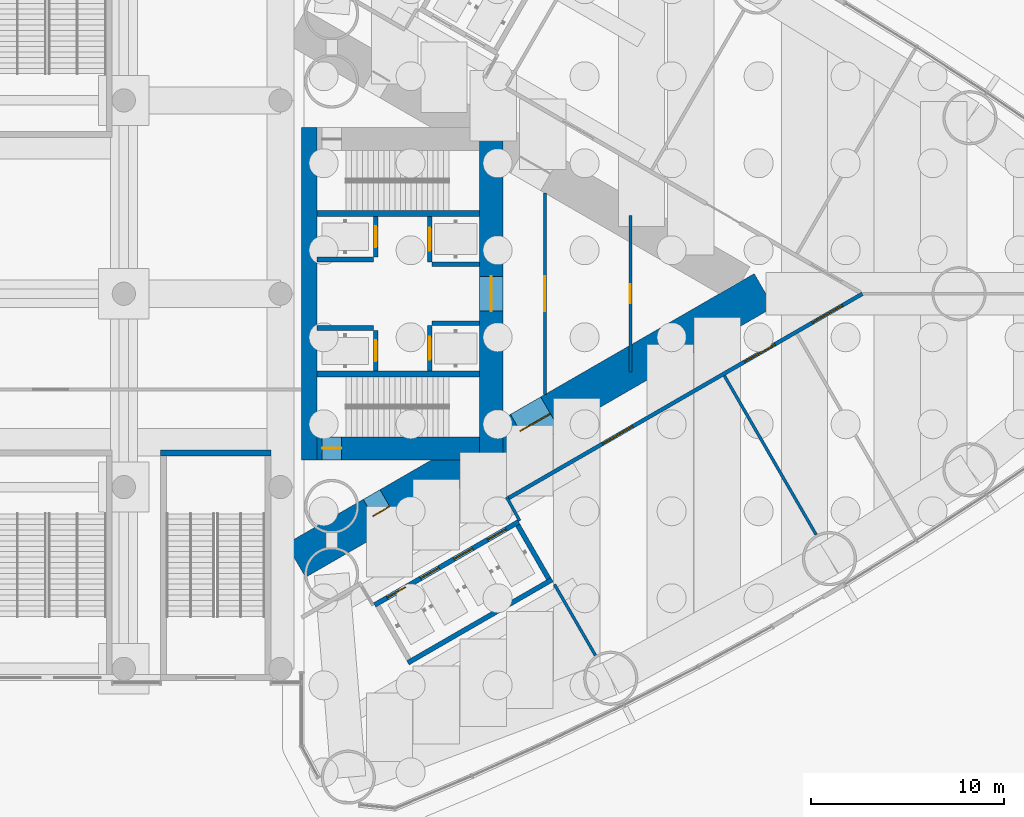
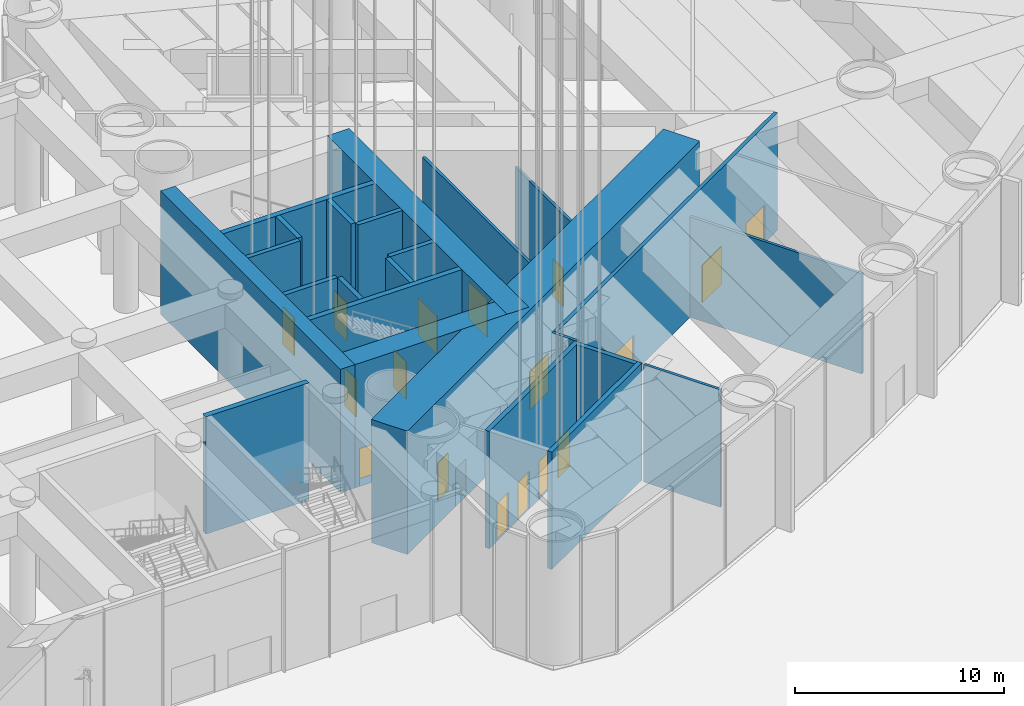
# One storey, part 23 of 43: 24 walls, 17 doors, 17 openings.
"""IFC4 building model written with IfcOpenShell, lengths in metres."""

from ifc_helpers import new_model, si_unit, direction, frame, frame_2d, origin, place, context, subcontext, project, spatial, rectangle, extrude, material, layer, layer_set, type_object, element, fill, save


model = new_model("IFC4")

# Units and contexts
model_context = context("Model", 3, precision=1e-05, world=origin(), true_north=direction((0.0, 1.0)))
body_context = subcontext(model_context, "Body", "Model", "MODEL_VIEW")
ifc_project = project(units=[si_unit("LENGTHUNIT", "METRE"), si_unit("AREAUNIT", "SQUARE_METRE"), si_unit("VOLUMEUNIT", "CUBIC_METRE"), si_unit("PLANEANGLEUNIT", "RADIAN"), si_unit("MASSUNIT", "GRAM", prefix="KILO")], contexts=[model_context])

# Site, building, storey
site_placement = place(None, origin())
site = spatial("IfcSite", under=ifc_project, at=site_placement, CompositionType="ELEMENT")
building_placement = place(site_placement, origin())
building = spatial("IfcBuilding", under=site, at=building_placement, Name="Lancet Gate Hotel", CompositionType="ELEMENT")
storey_placement = place(building_placement, origin())
storey = spatial("IfcBuildingStorey", under=building, at=storey_placement, Name="L00", CompositionType="ELEMENT", Elevation=0.0)

# Wall, openings, doors
ifc_material_1 = material(Name="Concrete C70/85", Category="concrete")
ifc_layer_1 = layer(ifc_material_1, 2.0)
ifc_layer_set_1 = layer_set([ifc_layer_1], Name="Buttress wall 2000")
wall_type_1 = type_object("IfcWallType", Name="Buttress wall 2000", PredefinedType="SHEAR", material=ifc_layer_set_1)
wall_1_placement = place(storey_placement, frame((27.199951171875, -13.800048828125, 0.0), z_axis=(0.0, 0.0, 1.0), x_axis=(0.866027159892, 0.499996958321, 0.0)))
wall_1 = element("IfcWall", 1, at=wall_1_placement, inside=storey, type_object=wall_type_1, Name="T2 buttress wall S L00", PredefinedType="SHEAR", context=body_context, shape_type="SweptSolid", body=[
    extrude(rectangle(XDim=27.946533203125, YDim=2.0, at=frame_2d((13.97314453125, 0.0))), origin(), (0.0, 0.0, 1.0), 7.199951171875),
])
opening_1_placement = place(wall_1_placement, frame((4.60009765625, 0.0, 0.0)))
opening_1 = element("IfcOpeningElement", 2, at=opening_1_placement, cuts=wall_1, Name="Opening T2-L00-LS", PredefinedType="OPENING", context=body_context, shape_type="SweptSolid", body=[
    extrude(rectangle(XDim=1.0, YDim=2.199951171875, at=frame_2d((0.5, 1.10009765625))), frame((0.0, 1.010009765625, 0.0), z_axis=(0.0, -1.0, 0.0), x_axis=(1.0, 0.0, 0.0)), (0.0, 0.0, 1.0), 2.02001953125),
])
opening_2_placement = place(wall_1_placement, frame((13.39453125, 0.0, 0.0)))
opening_2 = element("IfcOpeningElement", 3, at=opening_2_placement, cuts=wall_1, Name="Opening T2-L00-LHS", PredefinedType="OPENING", context=body_context, shape_type="SweptSolid", body=[
    extrude(rectangle(XDim=1.800048828125, YDim=2.199951171875, at=frame_2d((0.89990234375, 1.10009765625))), frame((0.0, 1.010009765625, 0.0), z_axis=(0.0, -1.0, 0.0), x_axis=(1.0, 0.0, 0.0)), (0.0, 0.0, 1.0), 2.02001953125),
])
ifc_material_2 = material(Name="Timber door set", Category="wood")
door_type_1 = type_object("IfcDoorType", Name="Lobby double door 1800", OperationType="DOUBLE_DOOR_SINGLE_SWING", PredefinedType="DOOR", material=ifc_material_2)
door_1_placement = place(opening_2_placement, origin())
door_1 = element("IfcDoor", 4, at=door_1_placement, inside=storey, type_object=door_type_1, Name="T2-L00-LHS", OperationType="DOUBLE_DOOR_SINGLE_SWING", OverallHeight=2.199951171875, OverallWidth=1.800048828125, PredefinedType="DOOR", context=body_context, shape_type="SweptSolid", body=[
    extrude(rectangle(XDim=1.800048828125, YDim=2.199951171875, at=frame_2d((0.89990234375, 1.10009765625))), frame((0.0, 0.02490234375, 0.0), z_axis=(0.0, -1.0, 0.0), x_axis=(1.0, 0.0, 0.0)), (0.0, 0.0, 1.0), 0.050048828125),
])
fill(opening_2, door_1)
ifc_material_3 = material(Name="Timber door set", Category="wood")
door_type_2 = type_object("IfcDoorType", Name="Stair lobby door 1000", OperationType="SINGLE_SWING_LEFT", PredefinedType="DOOR", material=ifc_material_3)
door_2_placement = place(opening_1_placement, origin())
door_2 = element("IfcDoor", 5, at=door_2_placement, inside=storey, type_object=door_type_2, Name="T2-L00-LS", OperationType="SINGLE_SWING_LEFT", OverallHeight=2.199951171875, OverallWidth=1.0, PredefinedType="DOOR", context=body_context, shape_type="SweptSolid", body=[
    extrude(rectangle(XDim=1.0, YDim=2.199951171875, at=frame_2d((0.5, 1.10009765625))), frame((0.0, 0.02490234375, 0.0), z_axis=(0.0, -1.0, 0.0), x_axis=(1.0, 0.0, 0.0)), (0.0, 0.0, 1.0), 0.050048828125),
])
fill(opening_1, door_2)

# Wall, opening, door
ifc_material_4 = material(Name="Concrete C70/85", Category="concrete")
ifc_layer_2 = layer(ifc_material_4, 1.199951171875)
ifc_layer_set_2 = layer_set([ifc_layer_2], Name="Core wall 1200")
wall_type_2 = type_object("IfcWallType", Name="Core wall 1200", PredefinedType="SHEAR", material=ifc_layer_set_2)
wall_2_placement = place(storey_placement, frame((37.300048828125, -8.60009765625, 0.0), z_axis=(0.0, 0.0, 1.0), x_axis=(0.0, 1.0, 0.0)))
wall_2 = element("IfcWall", 6, at=wall_2_placement, inside=storey, type_object=wall_type_2, Name="T2 core wall back L00", PredefinedType="SHEAR", context=body_context, shape_type="SweptSolid", body=[
    extrude(rectangle(XDim=17.2001953125, YDim=1.199951171875, at=frame_2d((8.60009765625, 0.0))), origin(), (0.0, 0.0, 1.0), 7.199951171875),
])
opening_3_placement = place(wall_2_placement, frame((7.699951171875, 0.0, 0.0)))
opening_3 = element("IfcOpeningElement", 7, at=opening_3_placement, cuts=wall_2, Name="Opening T2-L00-LL", PredefinedType="OPENING", context=body_context, shape_type="SweptSolid", body=[
    extrude(rectangle(XDim=1.800048828125, YDim=2.199951171875, at=frame_2d((0.89990234375, 1.10009765625))), frame((0.0, 0.60986328125, 0.0), z_axis=(0.0, -1.0, 0.0), x_axis=(1.0, 0.0, 0.0)), (0.0, 0.0, 1.0), 1.219970703125),
])
door_3_placement = place(opening_3_placement, origin())
door_3 = element("IfcDoor", 8, at=door_3_placement, inside=storey, type_object=door_type_1, Name="T2-L00-LL", OperationType="DOUBLE_DOOR_SINGLE_SWING", OverallHeight=2.199951171875, OverallWidth=1.800048828125, PredefinedType="DOOR", context=body_context, shape_type="SweptSolid", body=[
    extrude(rectangle(XDim=1.800048828125, YDim=2.199951171875, at=frame_2d((0.89990234375, 1.10009765625))), frame((0.0, 0.02490234375, 0.0), z_axis=(0.0, -1.0, 0.0), x_axis=(1.0, 0.0, 0.0)), (0.0, 0.0, 1.0), 0.050048828125),
])
fill(opening_3, door_3)

wall_3_placement = place(storey_placement, frame((28.300048828125, -8.0, 0.0), z_axis=(0.0, 0.0, 1.0), x_axis=(1.0, 0.0, 0.0)))
wall_3 = element("IfcWall", 9, at=wall_3_placement, inside=storey, type_object=wall_type_2, Name="T2 core wall side-S L00", PredefinedType="SHEAR", context=body_context, shape_type="SweptSolid", body=[
    extrude(rectangle(XDim=8.39990234375, YDim=1.199951171875, at=frame_2d((4.199951171875, 0.0))), origin(), (0.0, 0.0, 1.0), 7.199951171875),
])
opening_4_placement = place(wall_3_placement, frame((0.25, 0.0, 0.0)))
opening_4 = element("IfcOpeningElement", 10, at=opening_4_placement, cuts=wall_3, Name="Opening T2-L00-ST1", PredefinedType="OPENING", context=body_context, shape_type="SweptSolid", body=[
    extrude(rectangle(XDim=1.0, YDim=2.199951171875, at=frame_2d((0.5, 1.10009765625))), frame((0.0, 0.60986328125, 0.0), z_axis=(0.0, -1.0, 0.0), x_axis=(1.0, 0.0, 0.0)), (0.0, 0.0, 1.0), 1.219970703125),
])
ifc_material_5 = material(Name="Timber door set", Category="wood")
door_type_3 = type_object("IfcDoorType", Name="Stair door 1000", OperationType="SINGLE_SWING_RIGHT", PredefinedType="DOOR", material=ifc_material_5)
door_4_placement = place(opening_4_placement, origin())
door_4 = element("IfcDoor", 11, at=door_4_placement, inside=storey, type_object=door_type_3, Name="T2-L00-ST1", OperationType="SINGLE_SWING_RIGHT", OverallHeight=2.199951171875, OverallWidth=1.0, PredefinedType="DOOR", context=body_context, shape_type="SweptSolid", body=[
    extrude(rectangle(XDim=1.0, YDim=2.199951171875, at=frame_2d((0.5, 1.10009765625))), frame((0.0, 0.02490234375, 0.0), z_axis=(0.0, -1.0, 0.0), x_axis=(1.0, 0.0, 0.0)), (0.0, 0.0, 1.0), 0.050048828125),
])
fill(opening_4, door_4)

# Wall
ifc_material_6 = material(Name="Concrete C70/85", Category="concrete")
ifc_layer_3 = layer(ifc_material_6, 0.800048828125)
ifc_layer_set_3 = layer_set([ifc_layer_3], Name="Core wall 800")
wall_type_3 = type_object("IfcWallType", Name="Core wall 800", PredefinedType="SHEAR", material=ifc_layer_set_3)
wall_4_placement = place(storey_placement, frame((27.89990234375, -8.60009765625, 0.0), z_axis=(0.0, 0.0, 1.0), x_axis=(0.0, 1.0, 0.0)))
element("IfcWall", 12, at=wall_4_placement, inside=storey, type_object=wall_type_3, Name="T2 core wall front L00", PredefinedType="SHEAR", context=body_context, shape_type="SweptSolid", body=[
    extrude(rectangle(XDim=17.2001953125, YDim=0.800048828125, at=frame_2d((8.60009765625, 0.0))), origin(), (0.0, 0.0, 1.0), 7.199951171875),
])

# Wall, openings, doors
ifc_material_7 = material(Name="Gypsum board partition")
ifc_layer_4 = layer(ifc_material_7, 0.199951171875)
ifc_layer_set_4 = layer_set([ifc_layer_4], Name="Corridor wall 200")
wall_type_4 = type_object("IfcWallType", Name="Corridor wall 200", PredefinedType="PARTITIONING", material=ifc_layer_set_4)
wall_5_placement = place(storey_placement, frame((38.159912109375, -10.58984375, 0.0), z_axis=(0.0, 0.0, 1.0), x_axis=(0.866027029586, 0.499997184019, 0.0)))
wall_5 = element("IfcWall", 13, at=wall_5_placement, inside=storey, type_object=wall_type_4, Name="T2 corridor wall 200 L00", PredefinedType="PARTITIONING", context=body_context, shape_type="SweptSolid", body=[
    extrude(rectangle(XDim=21.1796875, YDim=0.199951171875, at=frame_2d((10.58984375, 0.0))), origin(), (0.0, 0.0, 1.0), 6.85009765625),
])
opening_5_placement = place(wall_5_placement, frame((14.142333984375, 0.0, 0.0)))
opening_5 = element("IfcOpeningElement", 14, at=opening_5_placement, cuts=wall_5, Name="Opening T2-L00-P003", PredefinedType="OPENING", context=body_context, shape_type="SweptSolid", body=[
    extrude(rectangle(XDim=1.800048828125, YDim=2.199951171875, at=frame_2d((0.89990234375, 1.10009765625))), frame((0.0, 0.10986328125, 0.0), z_axis=(0.0, -1.0, 0.0), x_axis=(1.0, 0.0, 0.0)), (0.0, 0.0, 1.0), 0.219970703125),
])
opening_6_placement = place(wall_5_placement, frame((18.1826171875, 0.0, 0.0)))
opening_6 = element("IfcOpeningElement", 15, at=opening_6_placement, cuts=wall_5, Name="Opening T2-L00-P004", PredefinedType="OPENING", context=body_context, shape_type="SweptSolid", body=[
    extrude(rectangle(XDim=1.800048828125, YDim=2.199951171875, at=frame_2d((0.89990234375, 1.10009765625))), frame((0.0, 0.10986328125, 0.0), z_axis=(0.0, -1.0, 0.0), x_axis=(1.0, 0.0, 0.0)), (0.0, 0.0, 1.0), 0.219970703125),
])
opening_7_placement = place(wall_5_placement, frame((5.649658203125, 0.0, 0.0)))
opening_7 = element("IfcOpeningElement", 16, at=opening_7_placement, cuts=wall_5, Name="Opening T2-L00-P002", PredefinedType="OPENING", context=body_context, shape_type="SweptSolid", body=[
    extrude(rectangle(XDim=1.800048828125, YDim=2.199951171875, at=frame_2d((0.89990234375, 1.10009765625))), frame((0.0, 0.10986328125, 0.0), z_axis=(0.0, -1.0, 0.0), x_axis=(1.0, 0.0, 0.0)), (0.0, 0.0, 1.0), 0.219970703125),
])
ifc_material_8 = material(Name="Timber door set", Category="wood")
door_type_4 = type_object("IfcDoorType", Name="Double door 1800", OperationType="DOUBLE_DOOR_SINGLE_SWING", PredefinedType="DOOR", material=ifc_material_8)
door_5_placement = place(opening_5_placement, origin())
door_5 = element("IfcDoor", 17, at=door_5_placement, inside=storey, type_object=door_type_4, Name="T2-L00-P003", OperationType="DOUBLE_DOOR_SINGLE_SWING", OverallHeight=2.199951171875, OverallWidth=1.800048828125, PredefinedType="DOOR", context=body_context, shape_type="SweptSolid", body=[
    extrude(rectangle(XDim=1.800048828125, YDim=2.199951171875, at=frame_2d((0.89990234375, 1.10009765625))), frame((0.0, 0.02490234375, 0.0), z_axis=(0.0, -1.0, 0.0), x_axis=(1.0, 0.0, 0.0)), (0.0, 0.0, 1.0), 0.050048828125),
])
fill(opening_5, door_5)
door_6_placement = place(opening_6_placement, origin())
door_6 = element("IfcDoor", 18, at=door_6_placement, inside=storey, type_object=door_type_4, Name="T2-L00-P004", OperationType="DOUBLE_DOOR_SINGLE_SWING", OverallHeight=2.199951171875, OverallWidth=1.800048828125, PredefinedType="DOOR", context=body_context, shape_type="SweptSolid", body=[
    extrude(rectangle(XDim=1.800048828125, YDim=2.199951171875, at=frame_2d((0.89990234375, 1.10009765625))), frame((0.0, 0.02490234375, 0.0), z_axis=(0.0, -1.0, 0.0), x_axis=(1.0, 0.0, 0.0)), (0.0, 0.0, 1.0), 0.050048828125),
])
fill(opening_6, door_6)
door_7_placement = place(opening_7_placement, origin())
door_7 = element("IfcDoor", 19, at=door_7_placement, inside=storey, type_object=door_type_4, Name="T2-L00-P002", OperationType="DOUBLE_DOOR_SINGLE_SWING", OverallHeight=2.199951171875, OverallWidth=1.800048828125, PredefinedType="DOOR", context=body_context, shape_type="SweptSolid", body=[
    extrude(rectangle(XDim=1.800048828125, YDim=2.199951171875, at=frame_2d((0.89990234375, 1.10009765625))), frame((0.0, 0.02490234375, 0.0), z_axis=(0.0, -1.0, 0.0), x_axis=(1.0, 0.0, 0.0)), (0.0, 0.0, 1.0), 0.050048828125),
])
fill(opening_7, door_7)

ifc_material_9 = material(Name="Gypsum board partition")
ifc_layer_5 = layer(ifc_material_9, 0.25)
ifc_layer_set_5 = layer_set([ifc_layer_5], Name="Lift shaft partition 250")
wall_type_5 = type_object("IfcWallType", Name="Lift shaft partition 250", PredefinedType="PARTITIONING", material=ifc_layer_set_5)
wall_6_placement = place(storey_placement, frame((31.2705078125, -16.09716796875, 0.0), z_axis=(0.0, 0.0, 1.0), x_axis=(0.86604045752, 0.499973925258, 0.0)))
wall_6 = element("IfcWall", 20, at=wall_6_placement, inside=storey, type_object=wall_type_5, Name="T2 lift shaft wall LR L00", PredefinedType="PARTITIONING", context=body_context, shape_type="SweptSolid", body=[
    extrude(rectangle(XDim=8.60009765625, YDim=0.25, at=frame_2d((4.300048828125, 0.0))), origin(), (0.0, 0.0, 1.0), 6.85009765625),
])
opening_8_placement = place(wall_6_placement, frame((0.75, 0.0, 0.0)))
opening_8 = element("IfcOpeningElement", 21, at=opening_8_placement, cuts=wall_6, Name="Opening T2-LR1-L00", PredefinedType="OPENING", context=body_context, shape_type="SweptSolid", body=[
    extrude(rectangle(XDim=1.10009765625, YDim=2.199951171875, at=frame_2d((0.550048828125, 1.10009765625))), frame((0.0, 0.135009765625, 0.0), z_axis=(0.0, -1.0, 0.0), x_axis=(1.0, 0.0, 0.0)), (0.0, 0.0, 1.0), 0.27001953125),
])
opening_9_placement = place(wall_6_placement, frame((2.75, 0.0, 0.0)))
opening_9 = element("IfcOpeningElement", 22, at=opening_9_placement, cuts=wall_6, Name="Opening T2-LR2-L00", PredefinedType="OPENING", context=body_context, shape_type="SweptSolid", body=[
    extrude(rectangle(XDim=1.10009765625, YDim=2.199951171875, at=frame_2d((0.550048828125, 1.10009765625))), frame((0.0, 0.135009765625, 0.0), z_axis=(0.0, -1.0, 0.0), x_axis=(1.0, 0.0, 0.0)), (0.0, 0.0, 1.0), 0.27001953125),
])
opening_10_placement = place(wall_6_placement, frame((4.75, 0.0, 0.0)))
opening_10 = element("IfcOpeningElement", 23, at=opening_10_placement, cuts=wall_6, Name="Opening T2-LR3-L00", PredefinedType="OPENING", context=body_context, shape_type="SweptSolid", body=[
    extrude(rectangle(XDim=1.10009765625, YDim=2.199951171875, at=frame_2d((0.550048828125, 1.10009765625))), frame((0.0, 0.135009765625, 0.0), z_axis=(0.0, -1.0, 0.0), x_axis=(1.0, 0.0, 0.0)), (0.0, 0.0, 1.0), 0.27001953125),
])
opening_11_placement = place(wall_6_placement, frame((6.75, 0.0, 0.0)))
opening_11 = element("IfcOpeningElement", 24, at=opening_11_placement, cuts=wall_6, Name="Opening T2-LR4-L00", PredefinedType="OPENING", context=body_context, shape_type="SweptSolid", body=[
    extrude(rectangle(XDim=1.10009765625, YDim=2.199951171875, at=frame_2d((0.550048828125, 1.10009765625))), frame((0.0, 0.135009765625, 0.0), z_axis=(0.0, -1.0, 0.0), x_axis=(1.0, 0.0, 0.0)), (0.0, 0.0, 1.0), 0.27001953125),
])
ifc_material_10 = material(Name="Steel door set", Category="steel")
door_type_5 = type_object("IfcDoorType", Name="Lift landing door 1100", OperationType="DOUBLE_DOOR_SLIDING", PredefinedType="USERDEFINED", material=ifc_material_10)
door_8_placement = place(opening_8_placement, origin())
door_8 = element("IfcDoor", 25, at=door_8_placement, inside=storey, type_object=door_type_5, Name="T2-LR1-L00", ObjectType="LIFT LANDING DOOR", OperationType="DOUBLE_DOOR_SLIDING", OverallHeight=2.199951171875, OverallWidth=1.10009765625, PredefinedType="USERDEFINED", context=body_context, shape_type="SweptSolid", body=[
    extrude(rectangle(XDim=1.10009765625, YDim=2.199951171875, at=frame_2d((0.550048828125, 1.10009765625))), frame((0.0, 0.02490234375, 0.0), z_axis=(0.0, -1.0, 0.0), x_axis=(1.0, 0.0, 0.0)), (0.0, 0.0, 1.0), 0.050048828125),
])
fill(opening_8, door_8)
door_9_placement = place(opening_9_placement, origin())
door_9 = element("IfcDoor", 26, at=door_9_placement, inside=storey, type_object=door_type_5, Name="T2-LR2-L00", ObjectType="LIFT LANDING DOOR", OperationType="DOUBLE_DOOR_SLIDING", OverallHeight=2.199951171875, OverallWidth=1.10009765625, PredefinedType="USERDEFINED", context=body_context, shape_type="SweptSolid", body=[
    extrude(rectangle(XDim=1.10009765625, YDim=2.199951171875, at=frame_2d((0.550048828125, 1.10009765625))), frame((0.0, 0.02490234375, 0.0), z_axis=(0.0, -1.0, 0.0), x_axis=(1.0, 0.0, 0.0)), (0.0, 0.0, 1.0), 0.050048828125),
])
fill(opening_9, door_9)
door_10_placement = place(opening_10_placement, origin())
door_10 = element("IfcDoor", 27, at=door_10_placement, inside=storey, type_object=door_type_5, Name="T2-LR3-L00", ObjectType="LIFT LANDING DOOR", OperationType="DOUBLE_DOOR_SLIDING", OverallHeight=2.199951171875, OverallWidth=1.10009765625, PredefinedType="USERDEFINED", context=body_context, shape_type="SweptSolid", body=[
    extrude(rectangle(XDim=1.10009765625, YDim=2.199951171875, at=frame_2d((0.550048828125, 1.10009765625))), frame((0.0, 0.02490234375, 0.0), z_axis=(0.0, -1.0, 0.0), x_axis=(1.0, 0.0, 0.0)), (0.0, 0.0, 1.0), 0.050048828125),
])
fill(opening_10, door_10)
door_11_placement = place(opening_11_placement, origin())
door_11 = element("IfcDoor", 28, at=door_11_placement, inside=storey, type_object=door_type_5, Name="T2-LR4-L00", ObjectType="LIFT LANDING DOOR", OperationType="DOUBLE_DOOR_SLIDING", OverallHeight=2.199951171875, OverallWidth=1.10009765625, PredefinedType="USERDEFINED", context=body_context, shape_type="SweptSolid", body=[
    extrude(rectangle(XDim=1.10009765625, YDim=2.199951171875, at=frame_2d((0.550048828125, 1.10009765625))), frame((0.0, 0.02490234375, 0.0), z_axis=(0.0, -1.0, 0.0), x_axis=(1.0, 0.0, 0.0)), (0.0, 0.0, 1.0), 0.050048828125),
])
fill(opening_11, door_11)

# Walls
wall_7_placement = place(storey_placement, frame((32.99560546875, -19.085693359375, 0.0), z_axis=(0.0, 0.0, 1.0), x_axis=(0.866028165386, 0.499995216735, 0.0)))
element("IfcWall", 29, at=wall_7_placement, inside=storey, type_object=wall_type_5, Name="T2 lift shaft wall LR L00", PredefinedType="PARTITIONING", context=body_context, shape_type="SweptSolid", body=[
    extrude(rectangle(XDim=8.60009765625, YDim=0.25, at=frame_2d((4.300048828125, 0.0))), origin(), (0.0, 0.0, 1.0), 6.85009765625),
])
wall_8_placement = place(storey_placement, frame((38.672607421875, -11.968017578125, 0.0), z_axis=(0.0, 0.0, 1.0), x_axis=(0.499929347863, -0.866066190972, 0.0)))
element("IfcWall", 30, at=wall_8_placement, inside=storey, type_object=wall_type_5, Name="T2 lift shaft wall LR L00", PredefinedType="PARTITIONING", context=body_context, shape_type="SweptSolid", body=[
    extrude(rectangle(XDim=3.20068359375, YDim=0.25, at=frame_2d((1.600341796875, 0.0))), origin(), (0.0, 0.0, 1.0), 6.85009765625),
])

# Wall, opening, door
ifc_material_11 = material(Name="Concrete C50/60", Category="concrete")
ifc_layer_6 = layer(ifc_material_11, 0.25)
ifc_layer_set_6 = layer_set([ifc_layer_6], Name="Lift shaft wall 250")
wall_type_6 = type_object("IfcWallType", Name="Lift shaft wall 250", PredefinedType="SHEAR", material=ifc_layer_set_6)
wall_9_placement = place(storey_placement, frame((31.324951171875, -4.0, 0.0), z_axis=(0.0, 0.0, 1.0), x_axis=(0.0, 1.0, 0.0)))
wall_9 = element("IfcWall", 31, at=wall_9_placement, inside=storey, type_object=wall_type_6, Name="T2 core wall row1-S L00", PredefinedType="SHEAR", context=body_context, shape_type="SweptSolid", body=[
    extrude(rectangle(XDim=2.10009765625, YDim=0.25, at=frame_2d((1.050048828125, 0.0))), origin(), (0.0, 0.0, 1.0), 7.199951171875),
])
opening_12_placement = place(wall_9_placement, frame((0.5, 0.0, 0.0)))
opening_12 = element("IfcOpeningElement", 32, at=opening_12_placement, cuts=wall_9, Name="Opening T2-SL1-L00", PredefinedType="OPENING", context=body_context, shape_type="SweptSolid", body=[
    extrude(rectangle(XDim=1.10009765625, YDim=2.199951171875, at=frame_2d((0.550048828125, 1.10009765625))), frame((0.0, 0.135009765625, 0.0), z_axis=(0.0, -1.0, 0.0), x_axis=(1.0, 0.0, 0.0)), (0.0, 0.0, 1.0), 0.27001953125),
])
ifc_material_12 = material(Name="Timber door set", Category="wood")
door_type_6 = type_object("IfcDoorType", Name="Service lift landing door 1100", OperationType="SLIDING_TO_LEFT", PredefinedType="USERDEFINED", material=ifc_material_12)
door_12_placement = place(opening_12_placement, origin())
door_12 = element("IfcDoor", 33, at=door_12_placement, inside=storey, type_object=door_type_6, Name="T2-SL1-L00", ObjectType="LIFT LANDING DOOR", OperationType="SLIDING_TO_LEFT", OverallHeight=2.199951171875, OverallWidth=1.10009765625, PredefinedType="USERDEFINED", context=body_context, shape_type="SweptSolid", body=[
    extrude(rectangle(XDim=1.10009765625, YDim=2.199951171875, at=frame_2d((0.550048828125, 1.10009765625))), frame((0.0, 0.02490234375, 0.0), z_axis=(0.0, -1.0, 0.0), x_axis=(1.0, 0.0, 0.0)), (0.0, 0.0, 1.0), 0.050048828125),
])
fill(opening_12, door_12)

wall_10_placement = place(storey_placement, frame((34.125, -4.0, 0.0), z_axis=(0.0, 0.0, 1.0), x_axis=(0.0, 1.0, 0.0)))
wall_10 = element("IfcWall", 34, at=wall_10_placement, inside=storey, type_object=wall_type_6, Name="T2 core wall row2-S L00", PredefinedType="SHEAR", context=body_context, shape_type="SweptSolid", body=[
    extrude(rectangle(XDim=2.35009765625, YDim=0.25, at=frame_2d((1.175048828125, 0.0))), origin(), (0.0, 0.0, 1.0), 7.199951171875),
])
opening_13_placement = place(wall_10_placement, frame((0.574951171875, 0.0, 0.0)))
opening_13 = element("IfcOpeningElement", 35, at=opening_13_placement, cuts=wall_10, Name="Opening T2-OL3-L00", PredefinedType="OPENING", context=body_context, shape_type="SweptSolid", body=[
    extrude(rectangle(XDim=1.199951171875, YDim=2.199951171875, at=frame_2d((0.60009765625, 1.10009765625))), frame((0.0, 0.135009765625, 0.0), z_axis=(0.0, -1.0, 0.0), x_axis=(1.0, 0.0, 0.0)), (0.0, 0.0, 1.0), 0.27001953125),
])
ifc_material_13 = material(Name="Timber door set", Category="wood")
door_type_7 = type_object("IfcDoorType", Name="Shuttle lift landing door 1200", OperationType="DOUBLE_DOOR_SLIDING", PredefinedType="USERDEFINED", material=ifc_material_13)
door_13_placement = place(opening_13_placement, origin())
door_13 = element("IfcDoor", 36, at=door_13_placement, inside=storey, type_object=door_type_7, Name="T2-OL3-L00", ObjectType="LIFT LANDING DOOR", OperationType="DOUBLE_DOOR_SLIDING", OverallHeight=2.199951171875, OverallWidth=1.199951171875, PredefinedType="USERDEFINED", context=body_context, shape_type="SweptSolid", body=[
    extrude(rectangle(XDim=1.199951171875, YDim=2.199951171875, at=frame_2d((0.60009765625, 1.10009765625))), frame((0.0, 0.02490234375, 0.0), z_axis=(0.0, -1.0, 0.0), x_axis=(1.0, 0.0, 0.0)), (0.0, 0.0, 1.0), 0.050048828125),
])
fill(opening_13, door_13)

# Walls
wall_11_placement = place(storey_placement, frame((28.300048828125, -1.77490234375, 0.0), z_axis=(0.0, 0.0, 1.0), x_axis=(1.0, 0.0, 0.0)))
element("IfcWall", 37, at=wall_11_placement, inside=storey, type_object=wall_type_6, Name="T2 core wall pass1-S L00", PredefinedType="SHEAR", context=body_context, shape_type="SweptSolid", body=[
    extrude(rectangle(XDim=2.89990234375, YDim=0.25, at=frame_2d((1.449951171875, 0.0))), origin(), (0.0, 0.0, 1.0), 7.199951171875),
])
wall_12_placement = place(storey_placement, frame((34.25, -1.52490234375, 0.0), z_axis=(0.0, 0.0, 1.0), x_axis=(1.0, 0.0, 0.0)))
element("IfcWall", 38, at=wall_12_placement, inside=storey, type_object=wall_type_6, Name="T2 core wall pass2-S L00", PredefinedType="SHEAR", context=body_context, shape_type="SweptSolid", body=[
    extrude(rectangle(XDim=2.449951171875, YDim=0.25, at=frame_2d((1.22509765625, 0.0))), origin(), (0.0, 0.0, 1.0), 7.199951171875),
])

# Wall, opening, door
wall_13_placement = place(storey_placement, frame((31.324951171875, 1.89990234375, 0.0), z_axis=(0.0, 0.0, 1.0), x_axis=(0.0, 1.0, 0.0)))
wall_13 = element("IfcWall", 39, at=wall_13_placement, inside=storey, type_object=wall_type_6, Name="T2 core wall row1-N L00", PredefinedType="SHEAR", context=body_context, shape_type="SweptSolid", body=[
    extrude(rectangle(XDim=2.10009765625, YDim=0.25, at=frame_2d((1.050048828125, 0.0))), origin(), (0.0, 0.0, 1.0), 7.199951171875),
])
opening_14_placement = place(wall_13_placement, frame((0.5, 0.0, 0.0)))
opening_14 = element("IfcOpeningElement", 40, at=opening_14_placement, cuts=wall_13, Name="Opening T2-FL2-L00", PredefinedType="OPENING", context=body_context, shape_type="SweptSolid", body=[
    extrude(rectangle(XDim=1.10009765625, YDim=2.199951171875, at=frame_2d((0.550048828125, 1.10009765625))), frame((0.0, 0.135009765625, 0.0), z_axis=(0.0, -1.0, 0.0), x_axis=(1.0, 0.0, 0.0)), (0.0, 0.0, 1.0), 0.27001953125),
])
ifc_material_14 = material(Name="Steel door set", Category="steel")
door_type_8 = type_object("IfcDoorType", Name="Firefighting lift landing door 1100", OperationType="SLIDING_TO_LEFT", PredefinedType="USERDEFINED", material=ifc_material_14)
door_14_placement = place(opening_14_placement, origin())
door_14 = element("IfcDoor", 41, at=door_14_placement, inside=storey, type_object=door_type_8, Name="T2-FL2-L00", ObjectType="LIFT LANDING DOOR", OperationType="SLIDING_TO_LEFT", OverallHeight=2.199951171875, OverallWidth=1.10009765625, PredefinedType="USERDEFINED", context=body_context, shape_type="SweptSolid", body=[
    extrude(rectangle(XDim=1.10009765625, YDim=2.199951171875, at=frame_2d((0.550048828125, 1.10009765625))), frame((0.0, 0.02490234375, 0.0), z_axis=(0.0, -1.0, 0.0), x_axis=(1.0, 0.0, 0.0)), (0.0, 0.0, 1.0), 0.050048828125),
])
fill(opening_14, door_14)

wall_14_placement = place(storey_placement, frame((34.125, 1.64990234375, 0.0), z_axis=(0.0, 0.0, 1.0), x_axis=(0.0, 1.0, 0.0)))
wall_14 = element("IfcWall", 42, at=wall_14_placement, inside=storey, type_object=wall_type_6, Name="T2 core wall row2-N L00", PredefinedType="SHEAR", context=body_context, shape_type="SweptSolid", body=[
    extrude(rectangle(XDim=2.35009765625, YDim=0.25, at=frame_2d((1.175048828125, 0.0))), origin(), (0.0, 0.0, 1.0), 7.199951171875),
])
opening_15_placement = place(wall_14_placement, frame((0.574951171875, 0.0, 0.0)))
opening_15 = element("IfcOpeningElement", 43, at=opening_15_placement, cuts=wall_14, Name="Opening T2-OL4-L00", PredefinedType="OPENING", context=body_context, shape_type="SweptSolid", body=[
    extrude(rectangle(XDim=1.199951171875, YDim=2.199951171875, at=frame_2d((0.60009765625, 1.10009765625))), frame((0.0, 0.135009765625, 0.0), z_axis=(0.0, -1.0, 0.0), x_axis=(1.0, 0.0, 0.0)), (0.0, 0.0, 1.0), 0.27001953125),
])
door_15_placement = place(opening_15_placement, origin())
door_15 = element("IfcDoor", 44, at=door_15_placement, inside=storey, type_object=door_type_7, Name="T2-OL4-L00", ObjectType="LIFT LANDING DOOR", OperationType="DOUBLE_DOOR_SLIDING", OverallHeight=2.199951171875, OverallWidth=1.199951171875, PredefinedType="USERDEFINED", context=body_context, shape_type="SweptSolid", body=[
    extrude(rectangle(XDim=1.199951171875, YDim=2.199951171875, at=frame_2d((0.60009765625, 1.10009765625))), frame((0.0, 0.02490234375, 0.0), z_axis=(0.0, -1.0, 0.0), x_axis=(1.0, 0.0, 0.0)), (0.0, 0.0, 1.0), 0.050048828125),
])
fill(opening_15, door_15)

# Walls
wall_15_placement = place(storey_placement, frame((28.300048828125, 1.77490234375, 0.0), z_axis=(0.0, 0.0, 1.0), x_axis=(1.0, 0.0, 0.0)))
element("IfcWall", 45, at=wall_15_placement, inside=storey, type_object=wall_type_6, Name="T2 core wall pass1-N L00", PredefinedType="SHEAR", context=body_context, shape_type="SweptSolid", body=[
    extrude(rectangle(XDim=2.89990234375, YDim=0.25, at=frame_2d((1.449951171875, 0.0))), origin(), (0.0, 0.0, 1.0), 7.199951171875),
])
wall_16_placement = place(storey_placement, frame((34.25, 1.52490234375, 0.0), z_axis=(0.0, 0.0, 1.0), x_axis=(1.0, 0.0, 0.0)))
element("IfcWall", 46, at=wall_16_placement, inside=storey, type_object=wall_type_6, Name="T2 core wall pass2-N L00", PredefinedType="SHEAR", context=body_context, shape_type="SweptSolid", body=[
    extrude(rectangle(XDim=2.449951171875, YDim=0.25, at=frame_2d((1.22509765625, 0.0))), origin(), (0.0, 0.0, 1.0), 7.199951171875),
])
ifc_material_15 = material(Name="Gypsum board partition")
ifc_layer_7 = layer(ifc_material_15, 0.14990234375)
ifc_layer_set_7 = layer_set([ifc_layer_7], Name="Party wall 150")
wall_type_7 = type_object("IfcWallType", Name="Party wall 150", PredefinedType="PARTITIONING", material=ifc_layer_set_7)
wall_17_placement = place(storey_placement, frame((49.359619140625, -4.2392578125, 0.0), z_axis=(0.0, 0.0, 1.0), x_axis=(0.499984446848, -0.866034383215, 0.0)))
element("IfcWall", 47, at=wall_17_placement, inside=storey, type_object=wall_type_7, Name="T2 party wall 150 L00", PredefinedType="PARTITIONING", context=body_context, shape_type="SweptSolid", body=[
    extrude(rectangle(XDim=9.491455078125, YDim=0.14990234375, at=frame_2d((4.74560546875, 0.0))), origin(), (0.0, 0.0, 1.0), 5.85009765625),
])
wall_18_placement = place(storey_placement, frame((40.5703125, -15.030029296875, 0.0), z_axis=(0.0, 0.0, 1.0), x_axis=(0.500012993597, -0.866017901798, 0.0)))
element("IfcWall", 48, at=wall_18_placement, inside=storey, type_object=wall_type_7, Name="T2 party wall 150 L00", PredefinedType="PARTITIONING", context=body_context, shape_type="SweptSolid", body=[
    extrude(rectangle(XDim=4.2431640625, YDim=0.14990234375, at=frame_2d((2.12158203125, 0.0))), origin(), (0.0, 0.0, 1.0), 6.85009765625),
])
ifc_material_16 = material(Name="Dense concrete blockwork", Category="masonry")
ifc_layer_8 = layer(ifc_material_16, 0.300048828125)
ifc_layer_set_8 = layer_set([ifc_layer_8], Name="Podium stair enclosure wall 300")
wall_type_8 = type_object("IfcWallType", Name="Podium stair enclosure wall 300", PredefinedType="SOLIDWALL", material=ifc_layer_set_8)
wall_19_placement = place(storey_placement, frame((20.199951171875, -8.22998046875, 0.0), z_axis=(0.0, 0.0, 1.0), x_axis=(1.0, 0.0, 0.0)))
element("IfcWall", 49, at=wall_19_placement, inside=storey, type_object=wall_type_8, Name="Podium stair PS5 encl wall inner L00", PredefinedType="SOLIDWALL", context=body_context, shape_type="SweptSolid", body=[
    extrude(rectangle(XDim=5.699951171875, YDim=0.300048828125, at=frame_2d((2.85009765625, 0.0))), origin(), (0.0, 0.0, 1.0), 6.85009765625),
])
ifc_material_17 = material(Name="Gypsum board partition")
ifc_layer_9 = layer(ifc_material_17, 0.14990234375)
ifc_layer_set_9 = layer_set([ifc_layer_9], Name="Service room wall 150")
wall_type_9 = type_object("IfcWallType", Name="Service room wall 150", PredefinedType="PARTITIONING", material=ifc_layer_set_9)
wall_20_placement = place(storey_placement, frame((38.7734375, -11.742431640625, 0.0), z_axis=(0.0, 0.0, 1.0), x_axis=(-0.481418475768, 0.876490873421, 0.0)))
element("IfcWall", 50, at=wall_20_placement, inside=storey, type_object=wall_type_9, Name="T2 service room wall 150 L00", PredefinedType="PARTITIONING", context=body_context, shape_type="SweptSolid", body=[
    extrude(rectangle(XDim=1.4052734375, YDim=0.14990234375, at=frame_2d((0.70263671875, 0.0))), origin(), (0.0, 0.0, 1.0), 6.85009765625),
])

# Wall, opening, door
wall_21_placement = place(storey_placement, frame((40.074951171875, -5.2119140625, 0.0), z_axis=(0.0, 0.0, 1.0), x_axis=(0.0, 1.0, 0.0)))
wall_21 = element("IfcWall", 51, at=wall_21_placement, inside=storey, type_object=wall_type_9, Name="T2 service room wall 150 L00", PredefinedType="PARTITIONING", context=body_context, shape_type="SweptSolid", body=[
    extrude(rectangle(XDim=10.423828125, YDim=0.14990234375, at=frame_2d((5.2119140625, 0.0))), origin(), (0.0, 0.0, 1.0), 6.85009765625),
])
opening_16_placement = place(wall_21_placement, frame((4.311767578125, 0.0, 0.0)))
opening_16 = element("IfcOpeningElement", 52, at=opening_16_placement, cuts=wall_21, Name="Opening T2-L00-LH", PredefinedType="OPENING", context=body_context, shape_type="SweptSolid", body=[
    extrude(rectangle(XDim=1.800048828125, YDim=2.199951171875, at=frame_2d((0.89990234375, 1.10009765625))), frame((0.0, 0.0849609375, 0.0), z_axis=(0.0, -1.0, 0.0), x_axis=(1.0, 0.0, 0.0)), (0.0, 0.0, 1.0), 0.169921875),
])
door_16_placement = place(opening_16_placement, origin())
door_16 = element("IfcDoor", 53, at=door_16_placement, inside=storey, type_object=door_type_1, Name="T2-L00-LH", OperationType="DOUBLE_DOOR_SINGLE_SWING", OverallHeight=2.199951171875, OverallWidth=1.800048828125, PredefinedType="DOOR", context=body_context, shape_type="SweptSolid", body=[
    extrude(rectangle(XDim=1.800048828125, YDim=2.199951171875, at=frame_2d((0.89990234375, 1.10009765625))), frame((0.0, 0.02490234375, 0.0), z_axis=(0.0, -1.0, 0.0), x_axis=(1.0, 0.0, 0.0)), (0.0, 0.0, 1.0), 0.050048828125),
])
fill(opening_16, door_16)

wall_22_placement = place(storey_placement, frame((44.5, -4.042724609375, 0.0), z_axis=(0.0, 0.0, 1.0), x_axis=(0.0, 1.0, 0.0)))
wall_22 = element("IfcWall", 54, at=wall_22_placement, inside=storey, type_object=wall_type_9, Name="T2 service room wall 150 L00", PredefinedType="PARTITIONING", context=body_context, shape_type="SweptSolid", body=[
    extrude(rectangle(XDim=8.08544921875, YDim=0.14990234375, at=frame_2d((4.042724609375, 0.0))), origin(), (0.0, 0.0, 1.0), 5.449951171875),
])
opening_17_placement = place(wall_22_placement, frame((3.542724609375, 0.0, 0.0)))
opening_17 = element("IfcOpeningElement", 55, at=opening_17_placement, cuts=wall_22, Name="Opening T2-L00-SV", PredefinedType="OPENING", context=body_context, shape_type="SweptSolid", body=[
    extrude(rectangle(XDim=1.0, YDim=2.199951171875, at=frame_2d((0.5, 1.10009765625))), frame((0.0, 0.0849609375, 0.0), z_axis=(0.0, -1.0, 0.0), x_axis=(1.0, 0.0, 0.0)), (0.0, 0.0, 1.0), 0.169921875),
])
ifc_material_18 = material(Name="Timber door set", Category="wood")
door_type_9 = type_object("IfcDoorType", Name="Service door 1000", OperationType="SINGLE_SWING_LEFT", PredefinedType="DOOR", material=ifc_material_18)
door_17_placement = place(opening_17_placement, origin())
door_17 = element("IfcDoor", 56, at=door_17_placement, inside=storey, type_object=door_type_9, Name="T2-L00-SV", OperationType="SINGLE_SWING_LEFT", OverallHeight=2.199951171875, OverallWidth=1.0, PredefinedType="DOOR", context=body_context, shape_type="SweptSolid", body=[
    extrude(rectangle(XDim=1.0, YDim=2.199951171875, at=frame_2d((0.5, 1.10009765625))), frame((0.0, 0.02490234375, 0.0), z_axis=(0.0, -1.0, 0.0), x_axis=(1.0, 0.0, 0.0)), (0.0, 0.0, 1.0), 0.050048828125),
])
fill(opening_17, door_17)

# Walls
ifc_material_19 = material(Name="Concrete C50/60", Category="concrete")
ifc_layer_10 = layer(ifc_material_19, 0.300048828125)
ifc_layer_set_10 = layer_set([ifc_layer_10], Name="Stair enclosure wall 300")
wall_type_10 = type_object("IfcWallType", Name="Stair enclosure wall 300", PredefinedType="SHEAR", material=ifc_layer_set_10)
for number, where, z_axis, x_axis, name in (
    (57, (28.300048828125, -4.14990234375, 0.0), (0.0, 0.0, 1.0), (1.0, 0.0, 0.0), "T2 core wall stair-S L00"),
    (58, (28.300048828125, 4.14990234375, 0.0), (0.0, 0.0, 1.0), (1.0, 0.0, 0.0), "T2 core wall stair-N L00"),
):
    element("IfcWall", number, at=place(storey_placement, frame(where, z_axis=z_axis, x_axis=x_axis)), inside=storey, type_object=wall_type_10, Name=name, PredefinedType="SHEAR", context=body_context, shape_type="SweptSolid", body=[
        extrude(rectangle(XDim=8.39990234375, YDim=0.300048828125, at=frame_2d((4.199951171875, 0.0))), origin(), (0.0, 0.0, 1.0), 7.199951171875),
    ])

save(model, "model.ifc")
